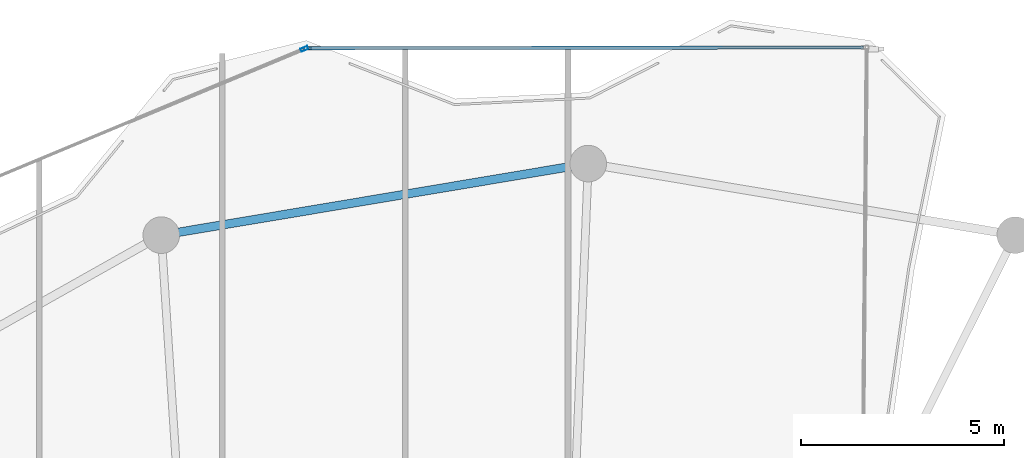
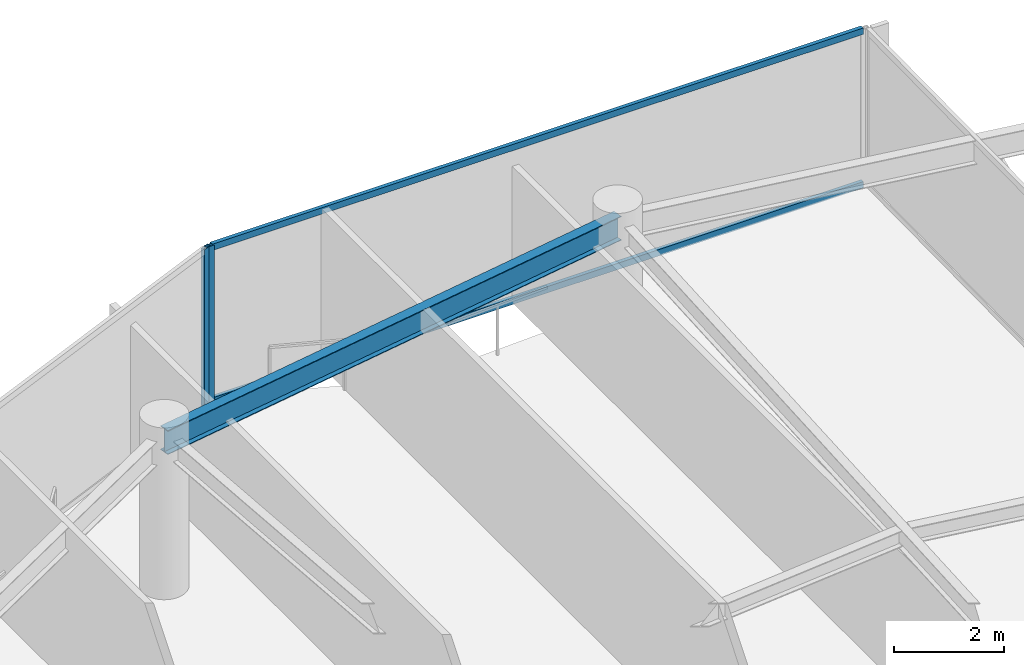
# One storey, part 15 of 22: 4 members, 1 beam, 2 elements without a shape of their own.
"""IFC4 building model written with IfcOpenShell, lengths in metres."""

from ifc_helpers import new_model, si_unit, direction, frame, origin, origin_2d, place, context, subcontext, project, spatial, hollow_rectangle, i_section, extrude, material, layer, layer_set, material_profile, profile_set, type_object, element, aggregate, save


model = new_model("IFC4")

# Units and contexts
model_context = context("Model", 3, precision=1e-05, world=origin(), true_north=direction((0.0, 1.0)))
body_context = subcontext(model_context, "Body", "Model", "MODEL_VIEW")
ifc_project = project(units=[si_unit("LENGTHUNIT", "METRE"), si_unit("AREAUNIT", "SQUARE_METRE"), si_unit("VOLUMEUNIT", "CUBIC_METRE"), si_unit("PLANEANGLEUNIT", "RADIAN"), si_unit("MASSUNIT", "GRAM", prefix="KILO")], contexts=[model_context])

# Site, building, storey
site_placement = place(None, origin())
site = spatial("IfcSite", under=ifc_project, at=site_placement, CompositionType="ELEMENT")
building_placement = place(site_placement, origin())
building = spatial("IfcBuilding", under=site, at=building_placement, Name="Kazevale Care Tower and Concert Hall", CompositionType="ELEMENT")
storey_placement = place(building_placement, frame((0.0, 0.0, 277.60009765625)))
storey = spatial("IfcBuildingStorey", under=building, at=storey_placement, Name="L73", CompositionType="ELEMENT", Elevation=277.60009765625)

# Curtain wall, member
ifc_material_1 = material(Name="Aluminium 6063-T6 and Low-E Glass", Category="aluminium")
ifc_layer = layer(ifc_material_1, 0.179931640625)
ifc_layer_set = layer_set([ifc_layer], Name="Aluminium 6063-T6 and Low-E Glass")
curtain_wall_type = type_object("IfcCurtainWallType", Name="Waist & Upper Residential Curtain Wall CW-4", PredefinedType="NOTDEFINED", material=ifc_layer_set)
curtain_wall_1_placement = place(storey_placement, origin())
curtain_wall_1 = element("IfcCurtainWall", 1, at=curtain_wall_1_placement, inside=storey, type_object=curtain_wall_type, Name="cw:L73:f11", PredefinedType="NOTDEFINED")
ifc_material_2 = material(Name="Aluminium 6063-T6", Category="aluminium")
ifc_material_profile_1 = material_profile(ifc_material_2, hollow_rectangle(XDim=0.080078125, YDim=0.179931640625, WallThickness=0.0048828125, at=origin_2d()), Name="ALU80x180x5")
ifc_profile_set_1 = profile_set([ifc_material_profile_1], Name="Aluminium 6063-T6")
member_type_1 = type_object("IfcMemberType", Name="CW-4 Mullion ALU80x180x5", PredefinedType="MULLION", material=ifc_profile_set_1)
member_1_placement = place(storey_placement, frame((38.01904296875, 63.97265625, 0.0), z_axis=(0.0, 0.0, 1.0), x_axis=(-0.384684013802, 0.923048324588, 0.0)))
member_1 = element("IfcMember", 2, at=member_1_placement, type_object=member_type_1, Name="CW-4 mullion 2", PredefinedType="MULLION", context=body_context, shape_type="SweptSolid", body=[
    extrude(hollow_rectangle(XDim=0.080078125, YDim=0.179931640625, WallThickness=0.0048828125, at=origin_2d()), origin(), (0.0, 0.0, 1.0), 3.47998046875),
])
aggregate(curtain_wall_1, [member_1])

# Curtain wall, members
curtain_wall_2_placement = place(storey_placement, origin())
curtain_wall_2 = element("IfcCurtainWall", 3, at=curtain_wall_2_placement, inside=storey, type_object=curtain_wall_type, Name="cw:L73:f12", PredefinedType="NOTDEFINED")
member_2_placement = place(storey_placement, frame((38.095947265625, 63.988037109375, 0.0), z_axis=(0.0, 0.0, 1.0), x_axis=(-0.001377708789, 0.999999050959, 0.0)))
member_2 = element("IfcMember", 4, at=member_2_placement, type_object=member_type_1, Name="CW-4 mullion 1", PredefinedType="MULLION", context=body_context, shape_type="SweptSolid", body=[
    extrude(hollow_rectangle(XDim=0.080078125, YDim=0.179931640625, WallThickness=0.0048828125, at=origin_2d()), origin(), (0.0, 0.0, 1.0), 3.47998046875),
])
ifc_material_profile_2 = material_profile(ifc_material_2, hollow_rectangle(XDim=0.080078125, YDim=0.139892578125, WallThickness=0.00390625, at=origin_2d()), Name="ALU80x140x4")
ifc_profile_set_2 = profile_set([ifc_material_profile_2], Name="Aluminium 6063-T6")
member_type_2 = type_object("IfcMemberType", Name="CW-4 Transom ALU80x140x4", PredefinedType="USERDEFINED", material=ifc_profile_set_2)
member_3_placement = place(storey_placement, frame((38.135986328125, 63.988037109375, 0.039794921875), z_axis=(0.999999049025, 0.0013791114, 0.0), x_axis=(-0.0013791114, 0.999999049025, 0.0)))
member_3 = element("IfcMember", 5, at=member_3_placement, type_object=member_type_2, Name="CW-4 transom 1.1", ObjectType="TRANSOM", PredefinedType="USERDEFINED", context=body_context, shape_type="SweptSolid", body=[
    extrude(hollow_rectangle(XDim=0.080078125, YDim=0.139892578125, WallThickness=0.00390625, at=origin_2d()), origin(), (0.0, 0.0, 1.0), 13.631103515625),
])
member_4_placement = place(storey_placement, frame((38.135986328125, 63.988037109375, 3.43994140625), z_axis=(0.999999049025, 0.0013791114, 0.0), x_axis=(-0.0013791114, 0.999999049025, 0.0)))
member_4 = element("IfcMember", 6, at=member_4_placement, type_object=member_type_2, Name="CW-4 transom 1.2", ObjectType="TRANSOM", PredefinedType="USERDEFINED", context=body_context, shape_type="SweptSolid", body=[
    extrude(hollow_rectangle(XDim=0.080078125, YDim=0.139892578125, WallThickness=0.00390625, at=origin_2d()), origin(), (0.0, 0.0, 1.0), 13.631103515625),
])
aggregate(curtain_wall_2, [member_2, member_3, member_4])

# Beam
ifc_material_3 = material(Name="Steel ASTM A572 Gr 50", Category="steel")
ifc_material_profile_3 = material_profile(ifc_material_3, i_section(OverallWidth=0.208984375, OverallDepth=0.532958984375, WebThickness=0.01025390625, FlangeThickness=0.015625, at=origin_2d()), Name="W530x92")
ifc_profile_set_3 = profile_set([ifc_material_profile_3], Name="Steel ASTM A572 Gr 50")
beam_type = type_object("IfcBeamType", Name="Upper Ring Beam W530x92", PredefinedType="BEAM", material=ifc_profile_set_3)
beam_placement = place(storey_placement, frame((45.0, 61.14990234375, 3.21337890625), z_axis=(-0.986241035683, -0.165313700387, 0.0), x_axis=(0.165313700387, -0.986241035683, 0.0)))
element("IfcBeam", 7, at=beam_placement, inside=storey, type_object=beam_type, Name="beam:L73:ring:05", PredefinedType="BEAM", context=body_context, shape_type="SweptSolid", body=[
    extrude(i_section(OverallWidth=0.208984375, OverallDepth=0.532958984375, WebThickness=0.01025390625, FlangeThickness=0.015625, at=origin_2d()), origin(), (0.0, 0.0, 1.0), 10.646484375),
])

save(model, "model.ifc")
